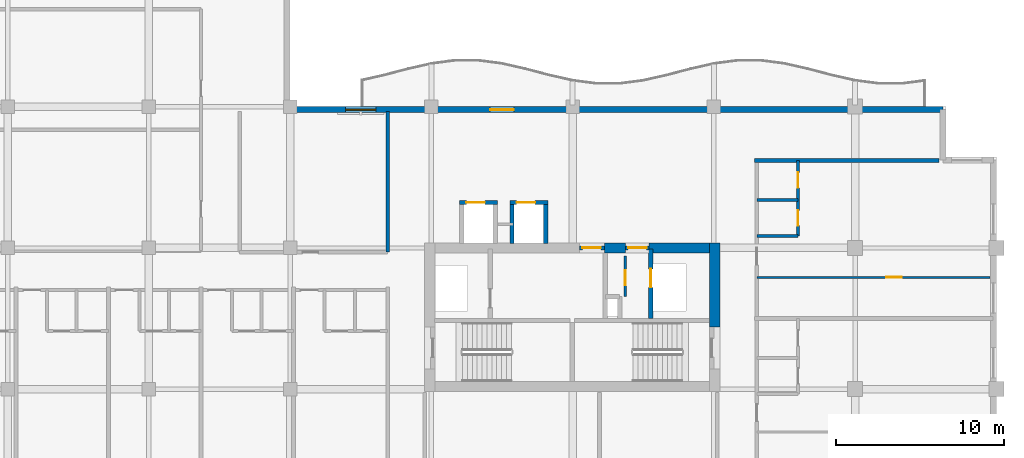
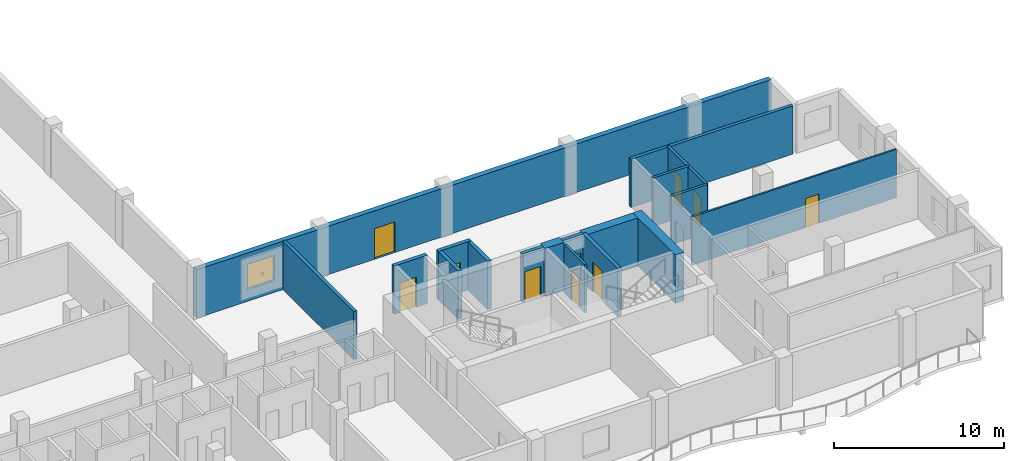
# One storey, part 5 of 12: 18 walls, 10 doors, 1 window, 11 openings.
"""IFC4 building model written with IfcOpenShell, lengths in metres."""

from ifc_helpers import new_model, si_unit, direction, frame, frame_2d, origin, place, context, subcontext, project, spatial, rectangle, extrude, material, layer, layer_set, type_object, element, fill, save


model = new_model("IFC4")

# Units and contexts
model_context = context("Model", 3, precision=1e-05, world=origin(), true_north=direction((0.0, 1.0)))
body_context = subcontext(model_context, "Body", "Model", "MODEL_VIEW")
ifc_project = project(units=[si_unit("LENGTHUNIT", "METRE"), si_unit("AREAUNIT", "SQUARE_METRE"), si_unit("VOLUMEUNIT", "CUBIC_METRE"), si_unit("PLANEANGLEUNIT", "RADIAN"), si_unit("MASSUNIT", "GRAM", prefix="KILO")], contexts=[model_context])

# Site, building, storey
site_placement = place(None, origin())
site = spatial("IfcSite", under=ifc_project, at=site_placement, CompositionType="ELEMENT")
building_placement = place(site_placement, origin())
building = spatial("IfcBuilding", under=site, at=building_placement, Name="Koriwani Terraces Tower", CompositionType="ELEMENT")
storey_placement = place(building_placement, frame((0.0, 0.0, 278.60009765625)))
storey = spatial("IfcBuildingStorey", under=building, at=storey_placement, Name="L69", CompositionType="ELEMENT", Elevation=278.60009765625)

# Walls
ifc_material_1 = material(Name="Concrete C60/75", Category="concrete")
ifc_layer_1 = layer(ifc_material_1, 0.60009765625, Name="Concrete C60/75")
ifc_layer_set_1 = layer_set([ifc_layer_1], Name="Concrete C60/75")
wall_type_1 = type_object("IfcWallType", Name="WALL_CORE_RC_600", PredefinedType="SHEAR", material=ifc_layer_set_1)
wall_1_placement = place(storey_placement, frame((58.85009765625, 20.5, 0.0), z_axis=(0.0, 0.0, 1.0), x_axis=(0.0, 1.0, 0.0)))
element("IfcWall", 1, at=wall_1_placement, inside=storey, type_object=wall_type_1, Name="L69 East Split Core Shear Wall E2", PredefinedType="SHEAR", context=body_context, shape_type="SweptSolid", body=[
    extrude(rectangle(XDim=5.0, YDim=0.60009765625, at=frame_2d((2.5, 0.0))), origin(), (0.0, 0.0, 1.0), 3.469970703125),
])
wall_2_placement = place(storey_placement, frame((52.280029296875, 25.199951171875, 0.0), z_axis=(0.0, 0.0, 1.0), x_axis=(1.0, 0.0, 0.0)))
element("IfcWall", 2, at=wall_2_placement, inside=storey, type_object=wall_type_1, Name="L69 East Split Core Shear Wall N2", PredefinedType="SHEAR", context=body_context, shape_type="SweptSolid", body=[
    extrude(rectangle(XDim=1.27001953125, YDim=0.60009765625, at=frame_2d((0.635009765625, 0.0))), origin(), (0.0, 0.0, 1.0), 3.469970703125),
])
wall_3_placement = place(storey_placement, frame((54.949951171875, 25.199951171875, 0.0), z_axis=(0.0, 0.0, 1.0), x_axis=(1.0, 0.0, 0.0)))
element("IfcWall", 3, at=wall_3_placement, inside=storey, type_object=wall_type_1, Name="L69 East Split Core Shear Wall N3", PredefinedType="SHEAR", context=body_context, shape_type="SweptSolid", body=[
    extrude(rectangle(XDim=3.60009765625, YDim=0.60009765625, at=frame_2d((1.800048828125, 0.0))), origin(), (0.0, 0.0, 1.0), 3.469970703125),
])
ifc_material_2 = material(Name="Autoclaved Cellular Concrete Blockwork", Category="masonry")
ifc_layer_2 = layer(ifc_material_2, 0.219970703125, Name="Autoclaved Cellular Concrete Blockwork")
ifc_layer_set_2 = layer_set([ifc_layer_2], Name="Autoclaved Cellular Concrete Blockwork")
wall_type_2 = type_object("IfcWallType", Name="WALL_DEMISING_220", PredefinedType="PARTITIONING", material=ifc_layer_set_2)
wall_4_placement = place(storey_placement, frame((39.39990234375, 24.949951171875, 0.0), z_axis=(0.0, 0.0, 1.0), x_axis=(0.0, 1.0, 0.0)))
element("IfcWall", 4, at=wall_4_placement, inside=storey, type_object=wall_type_2, Name="L69 Interior Wall WIC4SE-L69", PredefinedType="PARTITIONING", context=body_context, shape_type="SweptSolid", body=[
    extrude(rectangle(XDim=8.35009765625, YDim=0.219970703125, at=frame_2d((4.175048828125, 0.0))), origin(), (0.0, 0.0, 1.0), 3.469970703125),
])
wall_5_placement = place(storey_placement, frame((61.199951171875, 30.39990234375, 0.0), z_axis=(0.0, 0.0, 1.0), x_axis=(1.0, 0.0, 0.0)))
element("IfcWall", 5, at=wall_5_placement, inside=storey, type_object=wall_type_2, Name="L69 Interior Wall WRDEME-L69-ETE", PredefinedType="PARTITIONING", context=body_context, shape_type="SweptSolid", body=[
    extrude(rectangle(XDim=10.97998046875, YDim=0.219970703125, at=frame_2d((5.489990234375, 0.0))), origin(), (0.0, 0.0, 1.0), 3.469970703125),
])

# Wall, openings, door, window
ifc_material_3 = material(Name="Concrete C50/60", Category="concrete")
ifc_layer_3 = layer(ifc_material_3, 0.35009765625, Name="Concrete C50/60")
ifc_layer_set_3 = layer_set([ifc_layer_3], Name="Concrete C50/60")
wall_type_3 = type_object("IfcWallType", Name="WALL_EXT_BRUTALIST_350", PredefinedType="STANDARD", material=ifc_layer_set_3)
wall_6_placement = place(storey_placement, frame((33.425048828125, 33.425048828125, 0.0), z_axis=(0.0, 0.0, 1.0), x_axis=(1.0, 0.0, 0.0)))
wall_6 = element("IfcWall", 6, at=wall_6_placement, inside=storey, type_object=wall_type_3, Name="L69 Fair-Faced Brutalist Exterior Wall (NE)", PredefinedType="STANDARD", context=body_context, shape_type="SweptSolid", body=[
    extrude(rectangle(XDim=39.0, YDim=0.35009765625, at=frame_2d((19.5, 0.0))), origin(), (0.0, 0.0, 1.0), 3.469970703125),
])
opening_1_placement = place(wall_6_placement, frame((12.074951171875, 0.0, 0.0)))
opening_1 = element("IfcOpeningElement", 7, at=opening_1_placement, cuts=wall_6, Name="Opening D-09", PredefinedType="OPENING", context=body_context, shape_type="SweptSolid", body=[
    extrude(rectangle(XDim=1.39990234375, YDim=2.199951171875, at=frame_2d((0.699951171875, 1.10009765625))), frame((0.0, 0.18505859375, 0.0), z_axis=(0.0, -1.0, 0.0), x_axis=(1.0, 0.0, 0.0)), (0.0, 0.0, 1.0), 0.3701171875),
])
opening_2_placement = place(wall_6_placement, frame((3.47509765625, 0.0, 0.85009765625)))
opening_2 = element("IfcOpeningElement", 8, at=opening_2_placement, cuts=wall_6, Name="Opening W-04", PredefinedType="OPENING", context=body_context, shape_type="SweptSolid", body=[
    extrude(rectangle(XDim=1.800048828125, YDim=1.800048828125, at=frame_2d((0.89990234375, 0.89990234375))), frame((0.0, 0.18505859375, 0.0), z_axis=(0.0, -1.0, 0.0), x_axis=(1.0, 0.0, 0.0)), (0.0, 0.0, 1.0), 0.3701171875),
])
ifc_material_4 = material(Name="Anodised Bronze Aluminium", Category="aluminium")
door_type_1 = type_object("IfcDoorType", Name="DOOR_BALCONY_GLAZED_1400X2200", OperationType="NOTDEFINED", PredefinedType="DOOR", material=ifc_material_4)
door_1_placement = place(opening_1_placement, origin())
door_1 = element("IfcDoor", 9, at=door_1_placement, inside=storey, type_object=door_type_1, Name="L69 Inner Court Balcony Glazed Door", OperationType="SINGLE_SWING_LEFT", OverallHeight=2.199951171875, OverallWidth=1.39990234375, PredefinedType="DOOR", context=body_context, shape_type="SweptSolid", body=[
    extrude(rectangle(XDim=1.39990234375, YDim=2.199951171875, at=frame_2d((0.699951171875, 1.10009765625))), frame((0.0, 0.02490234375, 0.0), z_axis=(0.0, -1.0, 0.0), x_axis=(1.0, 0.0, 0.0)), (0.0, 0.0, 1.0), 0.050048828125),
])
fill(opening_1, door_1)
ifc_material_5 = material(Name="Tempered Laminated Low-E Glass", Category="glass")
window_type = type_object("IfcWindowType", Name="WIN_RES_BED_1800X1800", PartitioningType="DOUBLE_PANEL_VERTICAL", PredefinedType="WINDOW", material=ifc_material_5)
window_placement = place(opening_2_placement, origin())
window = element("IfcWindow", 10, at=window_placement, inside=storey, type_object=window_type, Name="L69 Exterior Window (NE-2)", OverallHeight=1.800048828125, OverallWidth=1.800048828125, PartitioningType="SINGLE_PANEL", PredefinedType="WINDOW", context=body_context, shape_type="SweptSolid", body=[
    extrude(rectangle(XDim=1.800048828125, YDim=1.800048828125, at=frame_2d((0.89990234375, 0.89990234375))), frame((0.0, 0.030029296875, 0.0), z_axis=(0.0, -1.0, 0.0), x_axis=(1.0, 0.0, 0.0)), (0.0, 0.0, 1.0), 0.06005859375),
])
fill(opening_2, window)

# Wall, opening, door
ifc_material_6 = material(Name="Fire-Rated Acoustic Gypsum Partition", Category="masonry")
ifc_layer_4 = layer(ifc_material_6, 0.125, Name="Fire-Rated Acoustic Gypsum Partition")
ifc_layer_set_4 = layer_set([ifc_layer_4], Name="Fire-Rated Acoustic Gypsum Partition")
wall_type_4 = type_object("IfcWallType", Name="WALL_INT_125", PredefinedType="PARTITIONING", material=ifc_layer_set_4)
wall_7_placement = place(storey_placement, frame((61.35009765625, 23.449951171875, 0.0), z_axis=(0.0, 0.0, 1.0), x_axis=(1.0, 0.0, 0.0)))
wall_7 = element("IfcWall", 11, at=wall_7_placement, inside=storey, type_object=wall_type_4, Name="L69 Interior Wall WRBED1-L69-ETE-1", PredefinedType="PARTITIONING", context=body_context, shape_type="SweptSolid", body=[
    extrude(rectangle(XDim=13.869873046875, YDim=0.125, at=frame_2d((6.93505859375, 0.0))), origin(), (0.0, 0.0, 1.0), 3.469970703125),
])
opening_3_placement = place(wall_7_placement, frame((7.699951171875, 0.0, 0.0)))
opening_3 = element("IfcOpeningElement", 12, at=opening_3_placement, cuts=wall_7, Name="Opening D-06", PredefinedType="OPENING", context=body_context, shape_type="SweptSolid", body=[
    extrude(rectangle(XDim=0.919921875, YDim=2.10009765625, at=frame_2d((0.4599609375, 1.050048828125))), frame((0.0, 0.072509765625, 0.0), z_axis=(0.0, -1.0, 0.0), x_axis=(1.0, 0.0, 0.0)), (0.0, 0.0, 1.0), 0.14501953125),
])
ifc_material_7 = material(Name="Architectural Oak Fire Door", Category="wood")
door_type_2 = type_object("IfcDoorType", Name="DOOR_ROOM_INT_920X2100", OperationType="NOTDEFINED", PredefinedType="DOOR", material=ifc_material_7)
door_2_placement = place(opening_3_placement, origin())
door_2 = element("IfcDoor", 13, at=door_2_placement, inside=storey, type_object=door_type_2, Name="Apartment 69ETE2 Master Bedroom Door", OperationType="SINGLE_SWING_LEFT", OverallHeight=2.10009765625, OverallWidth=0.919921875, PredefinedType="DOOR", context=body_context, shape_type="SweptSolid", body=[
    extrude(rectangle(XDim=0.919921875, YDim=2.10009765625, at=frame_2d((0.4599609375, 1.050048828125))), frame((0.0, 0.02490234375, 0.0), z_axis=(0.0, -1.0, 0.0), x_axis=(1.0, 0.0, 0.0)), (0.0, 0.0, 1.0), 0.050048828125),
])
fill(opening_3, door_2)

# Wall, openings, doors
ifc_layer_5 = layer(ifc_material_6, 0.179931640625, Name="Fire-Rated Acoustic Gypsum Partition")
ifc_layer_set_5 = layer_set([ifc_layer_5], Name="Fire-Rated Acoustic Gypsum Partition")
wall_type_5 = type_object("IfcWallType", Name="WALL_PLUMBING_180", PredefinedType="PLUMBINGWALL", material=ifc_layer_set_5)
wall_8_placement = place(storey_placement, frame((63.800048828125, 25.89990234375, 0.0), z_axis=(0.0, 0.0, 1.0), x_axis=(0.0, 1.0, 0.0)))
wall_8 = element("IfcWall", 14, at=wall_8_placement, inside=storey, type_object=wall_type_5, Name="L69 Interior Wall WRSVC-L69-ETE-1", PredefinedType="PLUMBINGWALL", context=body_context, shape_type="SweptSolid", body=[
    extrude(rectangle(XDim=4.5, YDim=0.179931640625, at=frame_2d((2.25, 0.0))), origin(), (0.0, 0.0, 1.0), 3.469970703125),
])
opening_4_placement = place(wall_8_placement, frame((0.6298828125, 0.0, 0.0)))
opening_4 = element("IfcOpeningElement", 15, at=opening_4_placement, cuts=wall_8, Name="Opening D-07", PredefinedType="OPENING", context=body_context, shape_type="SweptSolid", body=[
    extrude(rectangle(XDim=0.89990234375, YDim=2.10009765625, at=frame_2d((0.449951171875, 1.050048828125))), frame((0.0, 0.10009765625, 0.0), z_axis=(0.0, -1.0, 0.0), x_axis=(1.0, 0.0, 0.0)), (0.0, 0.0, 1.0), 0.199951171875),
])
opening_5_placement = place(wall_8_placement, frame((2.8701171875, 0.0, 0.0)))
opening_5 = element("IfcOpeningElement", 16, at=opening_5_placement, cuts=wall_8, Name="Opening D-06", PredefinedType="OPENING", context=body_context, shape_type="SweptSolid", body=[
    extrude(rectangle(XDim=0.919921875, YDim=2.10009765625, at=frame_2d((0.4599609375, 1.050048828125))), frame((0.0, 0.10009765625, 0.0), z_axis=(0.0, -1.0, 0.0), x_axis=(1.0, 0.0, 0.0)), (0.0, 0.0, 1.0), 0.199951171875),
])
door_type_3 = type_object("IfcDoorType", Name="DOOR_BATH_INT_900X2100", OperationType="NOTDEFINED", PredefinedType="DOOR", material=ifc_material_7)
door_3_placement = place(opening_4_placement, origin())
door_3 = element("IfcDoor", 17, at=door_3_placement, inside=storey, type_object=door_type_3, Name="Apartment 69ETE2 Bathroom Door", OperationType="SINGLE_SWING_LEFT", OverallHeight=2.10009765625, OverallWidth=0.89990234375, PredefinedType="DOOR", context=body_context, shape_type="SweptSolid", body=[
    extrude(rectangle(XDim=0.89990234375, YDim=2.10009765625, at=frame_2d((0.449951171875, 1.050048828125))), frame((0.0, 0.02490234375, 0.0), z_axis=(0.0, -1.0, 0.0), x_axis=(1.0, 0.0, 0.0)), (0.0, 0.0, 1.0), 0.050048828125),
])
fill(opening_4, door_3)
door_4_placement = place(opening_5_placement, origin())
door_4 = element("IfcDoor", 18, at=door_4_placement, inside=storey, type_object=door_type_2, Name="Apartment 69ETE2 Kitchen Door", OperationType="SINGLE_SWING_RIGHT", OverallHeight=2.10009765625, OverallWidth=0.919921875, PredefinedType="DOOR", context=body_context, shape_type="SweptSolid", body=[
    extrude(rectangle(XDim=0.919921875, YDim=2.10009765625, at=frame_2d((0.4599609375, 1.050048828125))), frame((0.0, 0.02490234375, 0.0), z_axis=(0.0, -1.0, 0.0), x_axis=(1.0, 0.0, 0.0)), (0.0, 0.0, 1.0), 0.050048828125),
])
fill(opening_5, door_4)

# Walls
for number, where, z_axis, x_axis, name in (
    (19, (61.35009765625, 25.89990234375, 0.0), (0.0, 0.0, 1.0), (1.0, 0.0, 0.0), "L69 Interior Wall WRSVCS-L69-ETE-1"),
    (20, (61.35009765625, 28.06005859375, 0.0), (0.0, 0.0, 1.0), (1.0, 0.0, 0.0), "L69 Interior Wall WRSVCM-L69-ETE-1"),
):
    element("IfcWall", number, at=place(storey_placement, frame(where, z_axis=z_axis, x_axis=x_axis)), inside=storey, type_object=wall_type_5, Name=name, PredefinedType="PLUMBINGWALL", context=body_context, shape_type="SweptSolid", body=[
        extrude(rectangle(XDim=2.449951171875, YDim=0.179931640625, at=frame_2d((1.22509765625, 0.0))), origin(), (0.0, 0.0, 1.0), 3.469970703125),
    ])

# Wall, opening, door
ifc_material_8 = material(Name="Concrete C40/50", Category="concrete")
ifc_layer_6 = layer(ifc_material_8, 0.25, Name="Concrete C40/50")
ifc_layer_set_6 = layer_set([ifc_layer_6], Name="Concrete C40/50")
wall_type_6 = type_object("IfcWallType", Name="WALL_SHAFT_RATED_250", PredefinedType="SOLIDWALL", material=ifc_layer_set_6)
wall_9_placement = place(storey_placement, frame((50.800048828125, 25.199951171875, 0.0), z_axis=(0.0, 0.0, 1.0), x_axis=(1.0, 0.0, 0.0)))
wall_9 = element("IfcWall", 21, at=wall_9_placement, inside=storey, type_object=wall_type_6, Name="L69 Interior Wall WIN-CE-L69-NP", PredefinedType="SOLIDWALL", context=body_context, shape_type="SweptSolid", body=[
    extrude(rectangle(XDim=1.47998046875, YDim=0.25, at=frame_2d((0.739990234375, 0.0))), origin(), (0.0, 0.0, 1.0), 3.469970703125),
])
opening_6_placement = place(wall_9_placement, frame((0.179931640625, 0.0, 0.0)))
opening_6 = element("IfcOpeningElement", 22, at=opening_6_placement, cuts=wall_9, Name="Opening D-03", PredefinedType="OPENING", context=body_context, shape_type="SweptSolid", body=[
    extrude(rectangle(XDim=1.10009765625, YDim=2.14990234375, at=frame_2d((0.550048828125, 1.074951171875))), frame((0.0, 0.135009765625, 0.0), z_axis=(0.0, -1.0, 0.0), x_axis=(1.0, 0.0, 0.0)), (0.0, 0.0, 1.0), 0.27001953125),
])
ifc_material_9 = material(Name="Steel ASTM A572 Grade 50", Category="steel")
door_type_4 = type_object("IfcDoorType", Name="DOOR_STAIR_FIRE_1100X2150", OperationType="NOTDEFINED", PredefinedType="DOOR", material=ifc_material_9)
door_5_placement = place(opening_6_placement, origin())
door_5 = element("IfcDoor", 23, at=door_5_placement, inside=storey, type_object=door_type_4, Name="L69 East Firefighting Lobby Door", OperationType="SINGLE_SWING_RIGHT", OverallHeight=2.14990234375, OverallWidth=1.10009765625, PredefinedType="DOOR", context=body_context, shape_type="SweptSolid", body=[
    extrude(rectangle(XDim=1.10009765625, YDim=2.14990234375, at=frame_2d((0.550048828125, 1.074951171875))), frame((0.0, 0.02490234375, 0.0), z_axis=(0.0, -1.0, 0.0), x_axis=(1.0, 0.0, 0.0)), (0.0, 0.0, 1.0), 0.050048828125),
])
fill(opening_6, door_5)

wall_10_placement = place(storey_placement, frame((55.050048828125, 21.0, 0.0), z_axis=(0.0, 0.0, 1.0), x_axis=(0.0, 1.0, 0.0)))
wall_10 = element("IfcWall", 24, at=wall_10_placement, inside=storey, type_object=wall_type_6, Name="L69 Interior Wall WIN-CE-L69-SE", PredefinedType="SOLIDWALL", context=body_context, shape_type="SweptSolid", body=[
    extrude(rectangle(XDim=4.14990234375, YDim=0.25, at=frame_2d((2.074951171875, 0.0))), origin(), (0.0, 0.0, 1.0), 3.469970703125),
])
opening_7_placement = place(wall_10_placement, frame((1.85009765625, 0.0, 0.0)))
opening_7 = element("IfcOpeningElement", 25, at=opening_7_placement, cuts=wall_10, Name="Opening LD-01", PredefinedType="OPENING", context=body_context, shape_type="SweptSolid", body=[
    extrude(rectangle(XDim=1.10009765625, YDim=2.14990234375, at=frame_2d((0.550048828125, 1.074951171875))), frame((0.0, 0.135009765625, 0.0), z_axis=(0.0, -1.0, 0.0), x_axis=(1.0, 0.0, 0.0)), (0.0, 0.0, 1.0), 0.27001953125),
])
door_type_5 = type_object("IfcDoorType", Name="DOOR_LIFT_LANDING_1100X2200", OperationType="NOTDEFINED", PredefinedType="DOOR", material=ifc_material_9)
door_6_placement = place(opening_7_placement, origin())
door_6 = element("IfcDoor", 26, at=door_6_placement, inside=storey, type_object=door_type_5, Name="L69 Goods Lift SE-02 Landing Door", OperationType="SLIDING_TO_LEFT", OverallHeight=2.14990234375, OverallWidth=1.10009765625, PredefinedType="DOOR", context=body_context, shape_type="SweptSolid", body=[
    extrude(rectangle(XDim=1.10009765625, YDim=2.14990234375, at=frame_2d((0.550048828125, 1.074951171875))), frame((0.0, 0.02490234375, 0.0), z_axis=(0.0, -1.0, 0.0), x_axis=(1.0, 0.0, 0.0)), (0.0, 0.0, 1.0), 0.050048828125),
])
fill(opening_7, door_6)

wall_11_placement = place(storey_placement, frame((53.550048828125, 25.199951171875, 0.0), z_axis=(0.0, 0.0, 1.0), x_axis=(1.0, 0.0, 0.0)))
wall_11 = element("IfcWall", 27, at=wall_11_placement, inside=storey, type_object=wall_type_6, Name="L69 Interior Wall WIN-CE-L69-NP2", PredefinedType="SOLIDWALL", context=body_context, shape_type="SweptSolid", body=[
    extrude(rectangle(XDim=1.39990234375, YDim=0.25, at=frame_2d((0.699951171875, 0.0))), origin(), (0.0, 0.0, 1.0), 3.469970703125),
])
opening_8_placement = place(wall_11_placement, frame((0.14990234375, 0.0, 0.0)))
opening_8 = element("IfcOpeningElement", 28, at=opening_8_placement, cuts=wall_11, Name="Opening D-03", PredefinedType="OPENING", context=body_context, shape_type="SweptSolid", body=[
    extrude(rectangle(XDim=1.10009765625, YDim=2.14990234375, at=frame_2d((0.550048828125, 1.074951171875))), frame((0.0, 0.135009765625, 0.0), z_axis=(0.0, -1.0, 0.0), x_axis=(1.0, 0.0, 0.0)), (0.0, 0.0, 1.0), 0.27001953125),
])
door_7_placement = place(opening_8_placement, origin())
door_7 = element("IfcDoor", 29, at=door_7_placement, inside=storey, type_object=door_type_4, Name="L69 East Goods Lift Lobby Door", OperationType="SINGLE_SWING_LEFT", OverallHeight=2.14990234375, OverallWidth=1.10009765625, PredefinedType="DOOR", context=body_context, shape_type="SweptSolid", body=[
    extrude(rectangle(XDim=1.10009765625, YDim=2.14990234375, at=frame_2d((0.550048828125, 1.074951171875))), frame((0.0, 0.02490234375, 0.0), z_axis=(0.0, -1.0, 0.0), x_axis=(1.0, 0.0, 0.0)), (0.0, 0.0, 1.0), 0.050048828125),
])
fill(opening_8, door_7)

wall_12_placement = place(storey_placement, frame((43.675048828125, 27.89990234375, 0.0), z_axis=(0.0, 0.0, 1.0), x_axis=(1.0, 0.0, 0.0)))
wall_12 = element("IfcWall", 30, at=wall_12_placement, inside=storey, type_object=wall_type_6, Name="L69 Interior Wall WIN-LF-PE-H3-L69-F", PredefinedType="SOLIDWALL", context=body_context, shape_type="SweptSolid", body=[
    extrude(rectangle(XDim=2.25, YDim=0.25, at=frame_2d((1.125, 0.0))), origin(), (0.0, 0.0, 1.0), 3.469970703125),
])
opening_9_placement = place(wall_12_placement, frame((0.39990234375, 0.0, 0.0)))
opening_9 = element("IfcOpeningElement", 31, at=opening_9_placement, cuts=wall_12, Name="Opening LD-01", PredefinedType="OPENING", context=body_context, shape_type="SweptSolid", body=[
    extrude(rectangle(XDim=1.10009765625, YDim=2.14990234375, at=frame_2d((0.550048828125, 1.074951171875))), frame((0.0, 0.135009765625, 0.0), z_axis=(0.0, -1.0, 0.0), x_axis=(1.0, 0.0, 0.0)), (0.0, 0.0, 1.0), 0.27001953125),
])
door_8_placement = place(opening_9_placement, origin())
door_8 = element("IfcDoor", 32, at=door_8_placement, inside=storey, type_object=door_type_5, Name="L69 Passenger Lift PE-H3 Landing Door", OperationType="SLIDING_TO_LEFT", OverallHeight=2.14990234375, OverallWidth=1.10009765625, PredefinedType="DOOR", context=body_context, shape_type="SweptSolid", body=[
    extrude(rectangle(XDim=1.10009765625, YDim=2.14990234375, at=frame_2d((0.550048828125, 1.074951171875))), frame((0.0, 0.02490234375, 0.0), z_axis=(0.0, -1.0, 0.0), x_axis=(1.0, 0.0, 0.0)), (0.0, 0.0, 1.0), 0.050048828125),
])
fill(opening_9, door_8)

wall_13_placement = place(storey_placement, frame((46.675048828125, 27.89990234375, 0.0), z_axis=(0.0, 0.0, 1.0), x_axis=(1.0, 0.0, 0.0)))
wall_13 = element("IfcWall", 33, at=wall_13_placement, inside=storey, type_object=wall_type_6, Name="L69 Interior Wall WIN-LF-PE-H4-L69-F", PredefinedType="SOLIDWALL", context=body_context, shape_type="SweptSolid", body=[
    extrude(rectangle(XDim=2.25, YDim=0.25, at=frame_2d((1.125, 0.0))), origin(), (0.0, 0.0, 1.0), 3.469970703125),
])
opening_10_placement = place(wall_13_placement, frame((0.39990234375, 0.0, 0.0)))
opening_10 = element("IfcOpeningElement", 34, at=opening_10_placement, cuts=wall_13, Name="Opening LD-01", PredefinedType="OPENING", context=body_context, shape_type="SweptSolid", body=[
    extrude(rectangle(XDim=1.10009765625, YDim=2.14990234375, at=frame_2d((0.550048828125, 1.074951171875))), frame((0.0, 0.135009765625, 0.0), z_axis=(0.0, -1.0, 0.0), x_axis=(1.0, 0.0, 0.0)), (0.0, 0.0, 1.0), 0.27001953125),
])
door_9_placement = place(opening_10_placement, origin())
door_9 = element("IfcDoor", 35, at=door_9_placement, inside=storey, type_object=door_type_5, Name="L69 Passenger Lift PE-H4 Landing Door", OperationType="SLIDING_TO_LEFT", OverallHeight=2.14990234375, OverallWidth=1.10009765625, PredefinedType="DOOR", context=body_context, shape_type="SweptSolid", body=[
    extrude(rectangle(XDim=1.10009765625, YDim=2.14990234375, at=frame_2d((0.550048828125, 1.074951171875))), frame((0.0, 0.02490234375, 0.0), z_axis=(0.0, -1.0, 0.0), x_axis=(1.0, 0.0, 0.0)), (0.0, 0.0, 1.0), 0.050048828125),
])
fill(opening_10, door_9)

# Walls
for number, where, z_axis, x_axis, name in (
    (36, (46.800048828125, 25.449951171875, 0.0), (0.0, 0.0, 1.0), (0.0, 1.0, 0.0), "L69 Interior Wall WIN-LF-PE-H4-L69-W"),
    (37, (48.800048828125, 25.449951171875, 0.0), (0.0, 0.0, 1.0), (0.0, 1.0, 0.0), "L69 Interior Wall WIN-LF-PE-H4-L69-E"),
):
    element("IfcWall", number, at=place(storey_placement, frame(where, z_axis=z_axis, x_axis=x_axis)), inside=storey, type_object=wall_type_6, Name=name, PredefinedType="SOLIDWALL", context=body_context, shape_type="SweptSolid", body=[
        extrude(rectangle(XDim=2.324951171875, YDim=0.25, at=frame_2d((1.16259765625, 0.0))), origin(), (0.0, 0.0, 1.0), 3.469970703125),
    ])

# Wall, opening, door
ifc_layer_7 = layer(ifc_material_6, 0.159912109375, Name="Fire-Rated Acoustic Gypsum Partition")
ifc_layer_set_7 = layer_set([ifc_layer_7], Name="Fire-Rated Acoustic Gypsum Partition")
wall_type_7 = type_object("IfcWallType", Name="WALL_SUITE_160", PredefinedType="PARTITIONING", material=ifc_layer_set_7)
wall_14_placement = place(storey_placement, frame((53.52001953125, 22.320068359375, 0.0), z_axis=(0.0, 0.0, 1.0), x_axis=(0.0, 1.0, 0.0)))
wall_14 = element("IfcWall", 38, at=wall_14_placement, inside=storey, type_object=wall_type_7, Name="L69 Interior Wall WIN-CE-L69-SV0", PredefinedType="PARTITIONING", context=body_context, shape_type="SweptSolid", body=[
    extrude(rectangle(XDim=2.39990234375, YDim=0.159912109375, at=frame_2d((1.199951171875, 0.0))), origin(), (0.0, 0.0, 1.0), 3.469970703125),
])
opening_11_placement = place(wall_14_placement, frame((0.64990234375, 0.0, 0.0)))
opening_11 = element("IfcOpeningElement", 39, at=opening_11_placement, cuts=wall_14, Name="Opening D-07", PredefinedType="OPENING", context=body_context, shape_type="SweptSolid", body=[
    extrude(rectangle(XDim=0.89990234375, YDim=2.10009765625, at=frame_2d((0.449951171875, 1.050048828125))), frame((0.0, 0.08984375, 0.0), z_axis=(0.0, -1.0, 0.0), x_axis=(1.0, 0.0, 0.0)), (0.0, 0.0, 1.0), 0.179931640625),
])
door_10_placement = place(opening_11_placement, origin())
door_10 = element("IfcDoor", 40, at=door_10_placement, inside=storey, type_object=door_type_3, Name="L69 East Electrical Switch Room Door", OperationType="SINGLE_SWING_RIGHT", OverallHeight=2.10009765625, OverallWidth=0.89990234375, PredefinedType="DOOR", context=body_context, shape_type="SweptSolid", body=[
    extrude(rectangle(XDim=0.89990234375, YDim=2.10009765625, at=frame_2d((0.449951171875, 1.050048828125))), frame((0.0, 0.02490234375, 0.0), z_axis=(0.0, -1.0, 0.0), x_axis=(1.0, 0.0, 0.0)), (0.0, 0.0, 1.0), 0.050048828125),
])
fill(opening_11, door_10)

save(model, "model.ifc")
